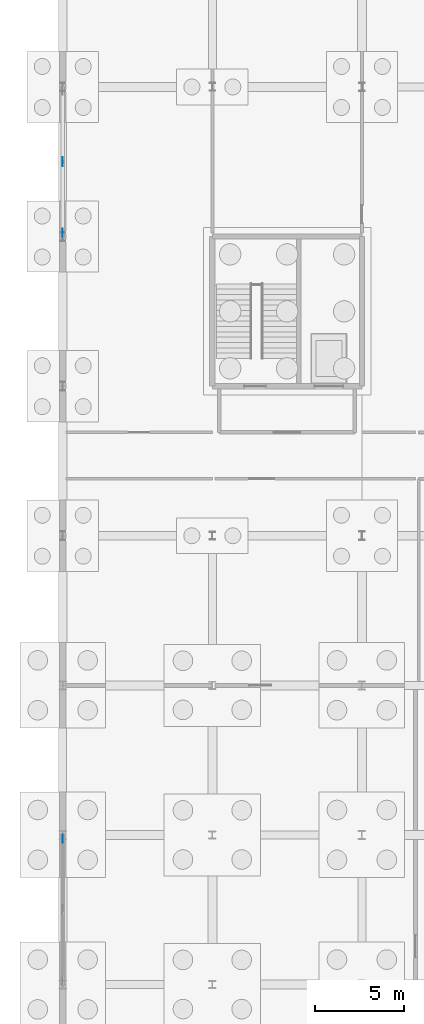
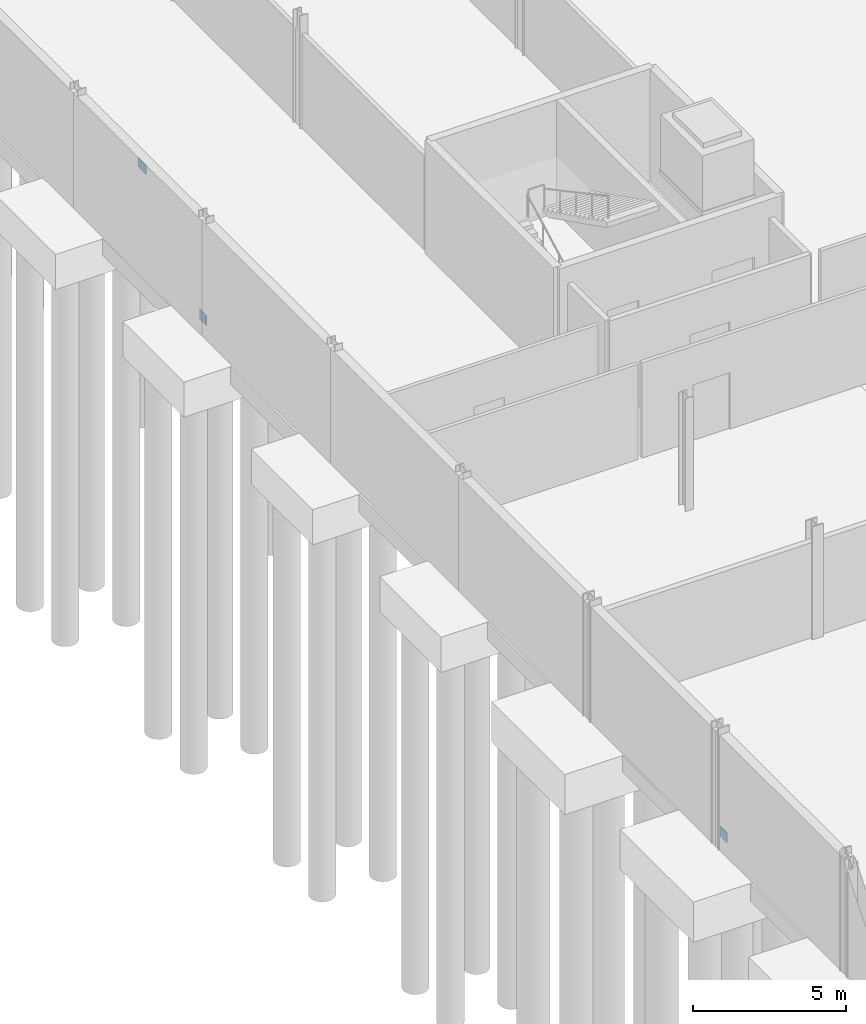
# One storey, part 42 of 51: 3 discrete accessories.
"""IFC4 building model written with IfcOpenShell, lengths in metres."""

from ifc_helpers import new_model, si_unit, direction, frame, origin, origin_2d, place, context, subcontext, project, spatial, rectangle, extrude, material, type_object, element, save


model = new_model("IFC4")

# Units and contexts
model_context = context("Model", 3, precision=1e-05, world=origin(), true_north=direction((0.0, 1.0)))
body_context = subcontext(model_context, "Body", "Model", "MODEL_VIEW")
ifc_project = project(units=[si_unit("LENGTHUNIT", "METRE"), si_unit("AREAUNIT", "SQUARE_METRE"), si_unit("VOLUMEUNIT", "CUBIC_METRE"), si_unit("PLANEANGLEUNIT", "RADIAN"), si_unit("MASSUNIT", "GRAM", prefix="KILO")], contexts=[model_context])

# Site, building, storey
site_placement = place(None, origin())
site = spatial("IfcSite", under=ifc_project, at=site_placement, CompositionType="ELEMENT")
building_placement = place(site_placement, origin())
building = spatial("IfcBuilding", under=site, at=building_placement, Name="Qalvenar Corner Mobility Hub", CompositionType="ELEMENT")
storey_placement = place(building_placement, frame((0.0, 0.0, -4.5)))
storey = spatial("IfcBuildingStorey", under=building, at=storey_placement, Name="B1", CompositionType="ELEMENT", Elevation=-4.5)

# Discrete accessories
ifc_material = material(Name="Steel S355", Category="steel")
discrete_accessory_type = type_object("IfcDiscreteAccessoryType", Name="ACC-GUSSET-PLT", PredefinedType="BRACKET", material=ifc_material)
discrete_accessory_1_placement = place(storey_placement, frame((0.0, 33.3798828125, 0.0), z_axis=(0.0, 0.0, 1.0), x_axis=(0.0, 1.0, 0.0)))
element("IfcDiscreteAccessory", 1, at=discrete_accessory_1_placement, inside=storey, type_object=discrete_accessory_type, Name="Brace Base Gusset Plate GP-B-018", PredefinedType="BRACKET", context=body_context, shape_type="SweptSolid", body=[
    extrude(rectangle(XDim=0.449951171875, YDim=0.02490234375, at=origin_2d()), origin(), (0.0, 0.0, 1.0), 0.39990234375),
])
discrete_accessory_2_placement = place(storey_placement, frame((0.0, 71.39990234375, 3.630126953125), z_axis=(0.0, 0.0, 1.0), x_axis=(0.0, 1.0, 0.0)))
element("IfcDiscreteAccessory", 2, at=discrete_accessory_2_placement, inside=storey, type_object=discrete_accessory_type, Name="Chevron Apex Gusset Plate GP-A-067", PredefinedType="BRACKET", context=body_context, shape_type="SweptSolid", body=[
    extrude(rectangle(XDim=0.52001953125, YDim=0.02490234375, at=origin_2d()), origin(), (0.0, 0.0, 1.0), 0.3798828125),
])
discrete_accessory_3_placement = place(storey_placement, frame((0.0, 67.419921875, 0.0), z_axis=(0.0, 0.0, 1.0), x_axis=(0.0, 1.0, 0.0)))
element("IfcDiscreteAccessory", 3, at=discrete_accessory_3_placement, inside=storey, type_object=discrete_accessory_type, Name="Brace Base Gusset Plate GP-B-068", PredefinedType="BRACKET", context=body_context, shape_type="SweptSolid", body=[
    extrude(rectangle(XDim=0.449951171875, YDim=0.02490234375, at=origin_2d()), origin(), (0.0, 0.0, 1.0), 0.39990234375),
])

save(model, "model.ifc")
